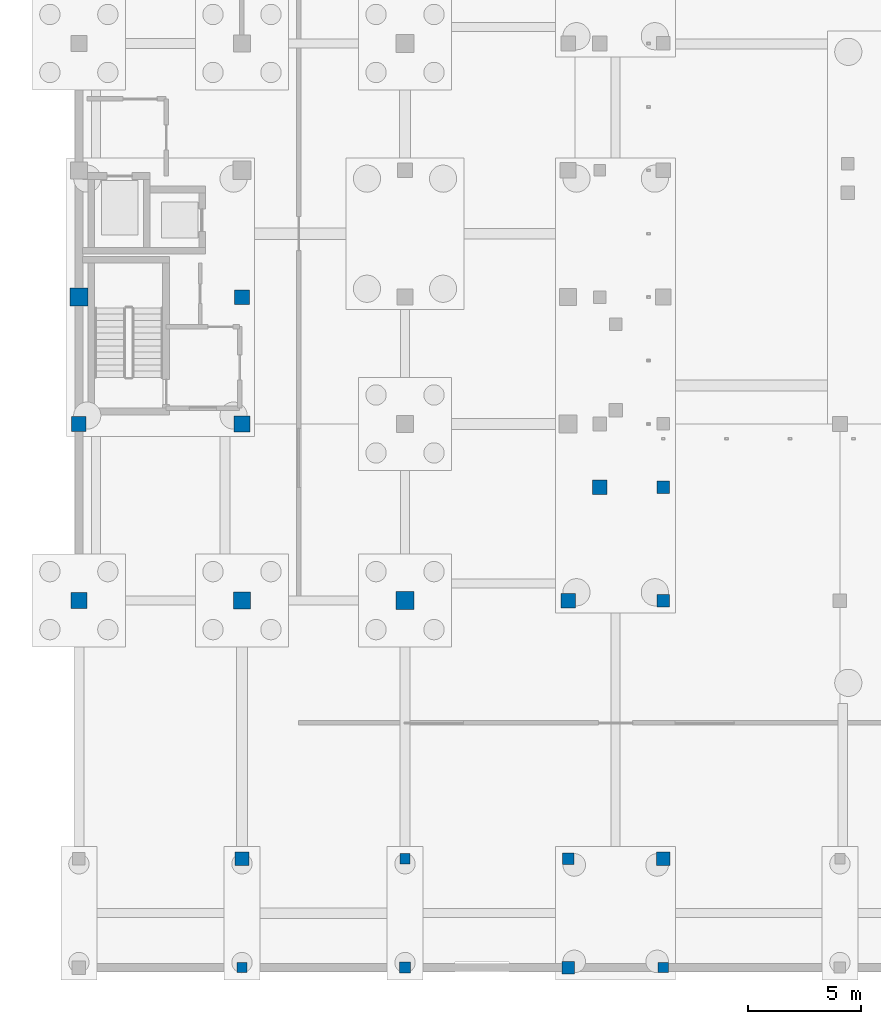
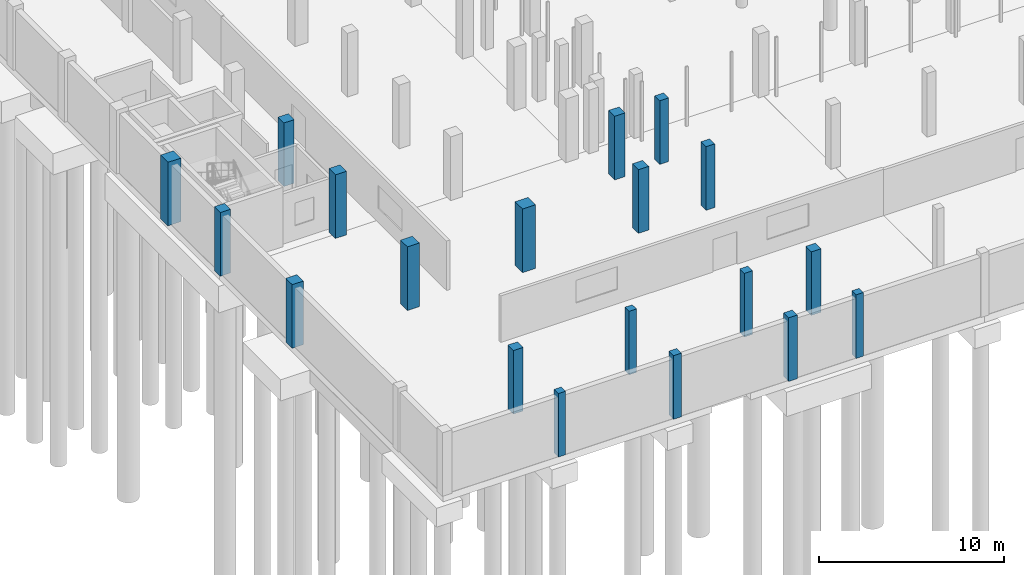
# One storey, part 7 of 34: 19 columns.
"""IFC4 building model written with IfcOpenShell, lengths in metres."""

from ifc_helpers import new_model, si_unit, direction, frame, origin, origin_2d, place, context, subcontext, project, spatial, rectangle, extrude, material, material_profile, profile_set, type_object, element, save


model = new_model("IFC4")

# Units and contexts
model_context = context("Model", 3, precision=1e-05, world=origin(), true_north=direction((0.0, 1.0)))
body_context = subcontext(model_context, "Body", "Model", "MODEL_VIEW")
ifc_project = project(units=[si_unit("LENGTHUNIT", "METRE"), si_unit("AREAUNIT", "SQUARE_METRE"), si_unit("VOLUMEUNIT", "CUBIC_METRE"), si_unit("PLANEANGLEUNIT", "RADIAN"), si_unit("MASSUNIT", "GRAM", prefix="KILO")], contexts=[model_context])

# Site, building, storey
site_placement = place(None, origin())
site = spatial("IfcSite", under=ifc_project, at=site_placement, CompositionType="ELEMENT")
building_placement = place(site_placement, origin())
building = spatial("IfcBuilding", under=site, at=building_placement, Name="Vinh Khe Railworks Police Headquarters", CompositionType="ELEMENT")
storey_placement = place(building_placement, frame((0.0, 0.0, -4.199951171875)))
storey = spatial("IfcBuildingStorey", under=building, at=storey_placement, Name="B1", CompositionType="ELEMENT", Elevation=-4.199951171875)

# Columns
ifc_material = material(Name="Concrete C40/50 (B40)", Category="concrete")
ifc_material_profile_1 = material_profile(ifc_material, rectangle(XDim=0.449951171875, YDim=0.449951171875, at=origin_2d()), Name="RC 450x450")
ifc_profile_set_1 = profile_set([ifc_material_profile_1], Name="Concrete C40/50 (B40)")
column_type_1 = type_object("IfcColumnType", Name="RC Column RC 450x450", PredefinedType="COLUMN", material=ifc_profile_set_1)
for number, where, z_axis, x_axis, name in (
    (1, (7.800048828125, 1.199951171875, 0.0), (0.0, 0.0, 1.0), (1.0, 0.0, 0.0), "Column COL-B1-CC-08-0168"),
    (2, (15.0, 6.0, 0.0), (0.0, 0.0, 1.0), (1.0, 0.0, 0.0), "Column COL-B1-CC-08-0338"),
    (3, (26.39990234375, 1.199951171875, 0.0), (0.0, 0.0, 1.0), (1.0, 0.0, 0.0), "Column COL-B1-CC-08-0708"),
):
    element("IfcColumn", number, at=place(storey_placement, frame(where, z_axis=z_axis, x_axis=x_axis)), inside=storey, type_object=column_type_1, Name=name, PredefinedType="COLUMN", context=body_context, shape_type="SweptSolid", body=[
        extrude(rectangle(XDim=0.449951171875, YDim=0.449951171875, at=origin_2d()), origin(), (0.0, 0.0, 1.0), 4.199951171875),
    ])
ifc_material_profile_2 = material_profile(ifc_material, rectangle(XDim=0.5, YDim=0.5, at=origin_2d()), Name="RC 500x500")
ifc_profile_set_2 = profile_set([ifc_material_profile_2], Name="Concrete C40/50 (B40)")
column_type_2 = type_object("IfcColumnType", Name="RC Column RC 500x500", PredefinedType="COLUMN", material=ifc_profile_set_2)
for number, where, z_axis, x_axis, name in (
    (4, (15.0, 1.199951171875, 0.0), (0.0, 0.0, 1.0), (1.0, 0.0, 0.0), "Column COL-B1-CC-07-0335"),
    (5, (22.199951171875, 6.0, 0.0), (0.0, 0.0, 1.0), (1.0, 0.0, 0.0), "Column COL-B1-CC-07-0505"),
):
    element("IfcColumn", number, at=place(storey_placement, frame(where, z_axis=z_axis, x_axis=x_axis)), inside=storey, type_object=column_type_2, Name=name, PredefinedType="COLUMN", context=body_context, shape_type="SweptSolid", body=[
        extrude(rectangle(XDim=0.5, YDim=0.5, at=origin_2d()), origin(), (0.0, 0.0, 1.0), 4.199951171875),
    ])
ifc_material_profile_3 = material_profile(ifc_material, rectangle(XDim=0.550048828125, YDim=0.550048828125, at=origin_2d()), Name="RC 550x550")
ifc_profile_set_3 = profile_set([ifc_material_profile_3], Name="Concrete C40/50 (B40)")
column_type_3 = type_object("IfcColumnType", Name="RC Column RC 550x550", PredefinedType="COLUMN", material=ifc_profile_set_3)
for number, where, z_axis, x_axis, name in (
    (6, (22.199951171875, 1.199951171875, 0.0), (0.0, 0.0, 1.0), (1.0, 0.0, 0.0), "Column COL-B1-CC-06-0502"),
    (7, (26.39990234375, 17.39990234375, 0.0), (0.0, 0.0, 1.0), (1.0, 0.0, 0.0), "Column COL-B1-CC-06-0714"),
    (8, (26.39990234375, 22.39990234375, 0.0), (0.0, 0.0, 1.0), (1.0, 0.0, 0.0), "Column COL-B1-CC-06-0717"),
):
    element("IfcColumn", number, at=place(storey_placement, frame(where, z_axis=z_axis, x_axis=x_axis)), inside=storey, type_object=column_type_3, Name=name, PredefinedType="COLUMN", context=body_context, shape_type="SweptSolid", body=[
        extrude(rectangle(XDim=0.550048828125, YDim=0.550048828125, at=origin_2d()), origin(), (0.0, 0.0, 1.0), 4.199951171875),
    ])
ifc_material_profile_4 = material_profile(ifc_material, rectangle(XDim=0.60009765625, YDim=0.60009765625, at=origin_2d()), Name="RC 600x600")
ifc_profile_set_4 = profile_set([ifc_material_profile_4], Name="Concrete C40/50 (B40)")
column_type_4 = type_object("IfcColumnType", Name="RC Column RC 600x600", PredefinedType="COLUMN", material=ifc_profile_set_4)
for number, where, z_axis, x_axis, name in (
    (9, (7.800048828125, 6.0, 0.0), (0.0, 0.0, 1.0), (1.0, 0.0, 0.0), "Column COL-B1-CC-05-0171"),
    (10, (26.39990234375, 6.0, 0.0), (0.0, 0.0, 1.0), (1.0, 0.0, 0.0), "Column COL-B1-CC-05-0711"),
):
    element("IfcColumn", number, at=place(storey_placement, frame(where, z_axis=z_axis, x_axis=x_axis)), inside=storey, type_object=column_type_4, Name=name, PredefinedType="COLUMN", context=body_context, shape_type="SweptSolid", body=[
        extrude(rectangle(XDim=0.60009765625, YDim=0.60009765625, at=origin_2d()), origin(), (0.0, 0.0, 1.0), 4.199951171875),
    ])
ifc_material_profile_5 = material_profile(ifc_material, rectangle(XDim=0.64990234375, YDim=0.64990234375, at=origin_2d()), Name="RC 650x650")
ifc_profile_set_5 = profile_set([ifc_material_profile_5], Name="Concrete C40/50 (B40)")
column_type_5 = type_object("IfcColumnType", Name="RC Column RC 650x650", PredefinedType="COLUMN", material=ifc_profile_set_5)
for number, where, z_axis, x_axis, name in (
    (11, (0.60009765625, 25.199951171875, 0.0), (0.0, 0.0, 1.0), (1.0, 0.0, 0.0), "Column COL-B1-CC-04-0017"),
    (12, (7.800048828125, 30.800048828125, 0.0), (0.0, 0.0, 1.0), (1.0, 0.0, 0.0), "Column COL-B1-CC-04-0194"),
    (13, (22.199951171875, 17.39990234375, 0.0), (0.0, 0.0, 1.0), (1.0, 0.0, 0.0), "Column COL-B1-CC-04-0508"),
    (14, (23.60009765625, 22.39990234375, 0.0), (0.0, 0.0, 1.0), (1.0, 0.0, 0.0), "Column COL-B1-CC-04-0655"),
):
    element("IfcColumn", number, at=place(storey_placement, frame(where, z_axis=z_axis, x_axis=x_axis)), inside=storey, type_object=column_type_5, Name=name, PredefinedType="COLUMN", context=body_context, shape_type="SweptSolid", body=[
        extrude(rectangle(XDim=0.64990234375, YDim=0.64990234375, at=origin_2d()), origin(), (0.0, 0.0, 1.0), 4.199951171875),
    ])
ifc_material_profile_6 = material_profile(ifc_material, rectangle(XDim=0.699951171875, YDim=0.699951171875, at=origin_2d()), Name="RC 700x700")
ifc_profile_set_6 = profile_set([ifc_material_profile_6], Name="Concrete C40/50 (B40)")
column_type_6 = type_object("IfcColumnType", Name="RC Column RC 700x700", PredefinedType="COLUMN", material=ifc_profile_set_6)
for number, where, z_axis, x_axis, name in (
    (15, (0.60009765625, 17.39990234375, 0.0), (0.0, 0.0, 1.0), (1.0, 0.0, 0.0), "Column COL-B1-CC-03-0007"),
    (16, (7.800048828125, 25.199951171875, 0.0), (0.0, 0.0, 1.0), (1.0, 0.0, 0.0), "Column COL-B1-CC-03-0184"),
):
    element("IfcColumn", number, at=place(storey_placement, frame(where, z_axis=z_axis, x_axis=x_axis)), inside=storey, type_object=column_type_6, Name=name, PredefinedType="COLUMN", context=body_context, shape_type="SweptSolid", body=[
        extrude(rectangle(XDim=0.699951171875, YDim=0.699951171875, at=origin_2d()), origin(), (0.0, 0.0, 1.0), 4.199951171875),
    ])
ifc_material_profile_7 = material_profile(ifc_material, rectangle(XDim=0.75, YDim=0.75, at=origin_2d()), Name="RC 750x750")
ifc_profile_set_7 = profile_set([ifc_material_profile_7], Name="Concrete C40/50 (B40)")
column_type_7 = type_object("IfcColumnType", Name="RC Column RC 750x750", PredefinedType="COLUMN", material=ifc_profile_set_7)
column_placement = place(storey_placement, frame((7.800048828125, 17.39990234375, 0.0), z_axis=(0.0, 0.0, 1.0), x_axis=(1.0, 0.0, 0.0)))
element("IfcColumn", 17, at=column_placement, inside=storey, type_object=column_type_7, Name="Column COL-B1-CC-02-0174", PredefinedType="COLUMN", context=body_context, shape_type="SweptSolid", body=[
    extrude(rectangle(XDim=0.75, YDim=0.75, at=origin_2d()), origin(), (0.0, 0.0, 1.0), 4.199951171875),
])
ifc_material_profile_8 = material_profile(ifc_material, rectangle(XDim=0.800048828125, YDim=0.800048828125, at=origin_2d()), Name="RC 800x800")
ifc_profile_set_8 = profile_set([ifc_material_profile_8], Name="Concrete C40/50 (B40)")
column_type_8 = type_object("IfcColumnType", Name="RC Column RC 800x800", PredefinedType="COLUMN", material=ifc_profile_set_8)
for number, where, z_axis, x_axis, name in (
    (18, (0.60009765625, 30.800048828125, 0.0), (0.0, 0.0, 1.0), (1.0, 0.0, 0.0), "Column COL-B1-CC-01-0027"),
    (19, (15.0, 17.39990234375, 0.0), (0.0, 0.0, 1.0), (1.0, 0.0, 0.0), "Column COL-B1-CC-01-0341"),
):
    element("IfcColumn", number, at=place(storey_placement, frame(where, z_axis=z_axis, x_axis=x_axis)), inside=storey, type_object=column_type_8, Name=name, PredefinedType="COLUMN", context=body_context, shape_type="SweptSolid", body=[
        extrude(rectangle(XDim=0.800048828125, YDim=0.800048828125, at=origin_2d()), origin(), (0.0, 0.0, 1.0), 4.199951171875),
    ])

save(model, "model.ifc")
